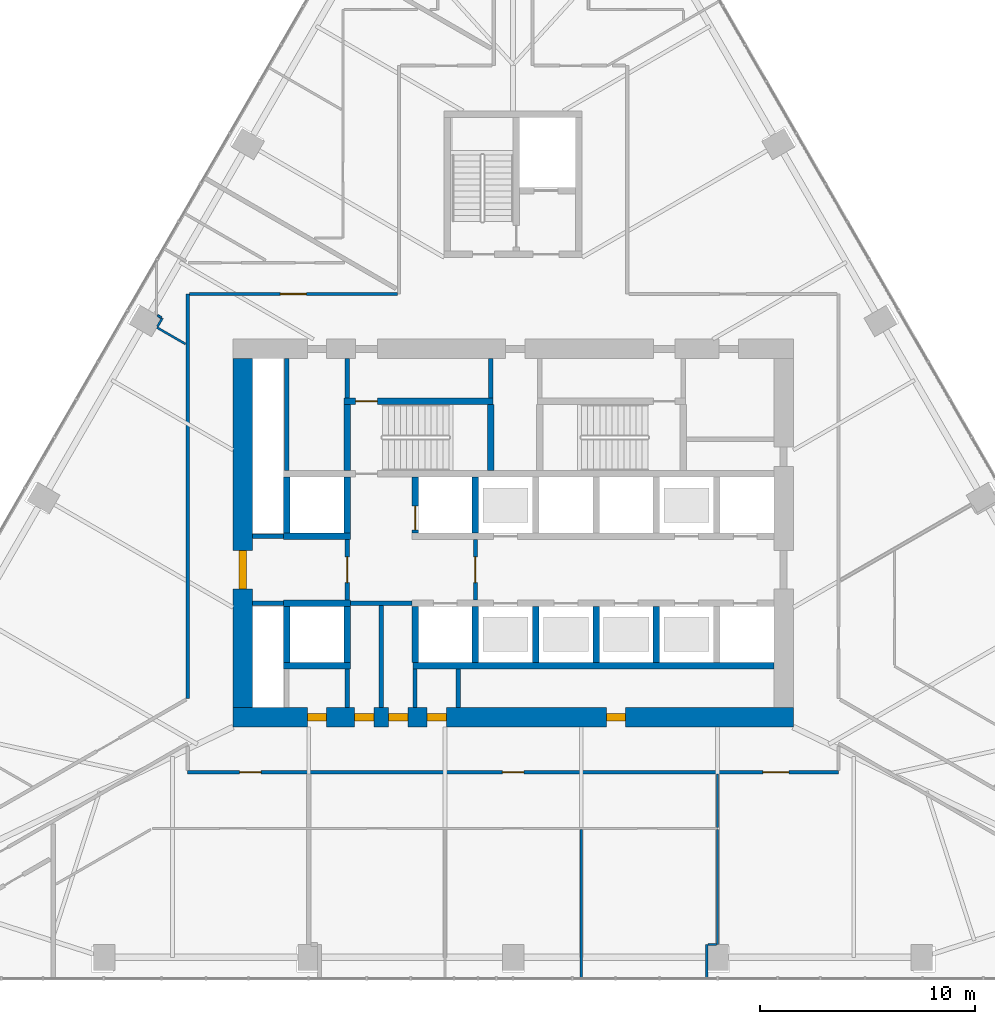
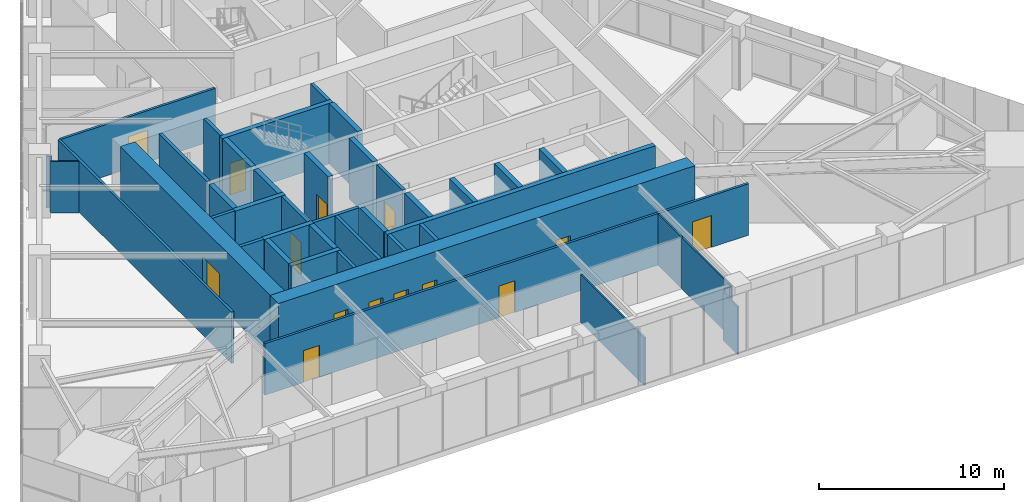
# One storey, part 16 of 21: 43 walls, 14 doors, 14 openings.
"""IFC4 building model written with IfcOpenShell, lengths in metres."""

from ifc_helpers import new_model, si_unit, direction, frame, frame_2d, origin, place, context, subcontext, project, spatial, rectangle, extrude, material, layer, layer_set, type_object, element, fill, save


model = new_model("IFC4")

# Units and contexts
model_context = context("Model", 3, precision=1e-05, world=origin(), true_north=direction((0.0, 1.0)))
body_context = subcontext(model_context, "Body", "Model", "MODEL_VIEW")
ifc_project = project(units=[si_unit("LENGTHUNIT", "METRE"), si_unit("AREAUNIT", "SQUARE_METRE"), si_unit("VOLUMEUNIT", "CUBIC_METRE"), si_unit("PLANEANGLEUNIT", "RADIAN"), si_unit("MASSUNIT", "GRAM", prefix="KILO")], contexts=[model_context])

# Site, building, storey
site_placement = place(None, origin())
site = spatial("IfcSite", under=ifc_project, at=site_placement, CompositionType="ELEMENT")
building_placement = place(site_placement, origin())
building = spatial("IfcBuilding", under=site, at=building_placement, Name="Firuza Gate Tower and Library", CompositionType="ELEMENT")
storey_placement = place(building_placement, frame((0.0, 0.0, 69.39990234375)))
storey = spatial("IfcBuildingStorey", under=building, at=storey_placement, Name="L15", CompositionType="ELEMENT", Elevation=69.39990234375)

# Walls
ifc_material_1 = material(Name="Plasterboard on steel studs", Category="steel")
ifc_layer_1 = layer(ifc_material_1, 0.199951171875)
ifc_layer_set_1 = layer_set([ifc_layer_1], Name="Core partition 200 EI 120")
wall_type_1 = type_object("IfcWallType", Name="Core partition 200 EI 120", PredefinedType="PARTITIONING", material=ifc_layer_set_1)
wall_1_placement = place(storey_placement, frame((62.89990234375, 71.75, 0.0), z_axis=(0.0, 0.0, 1.0), x_axis=(1.0, 0.0, 0.0)))
element("IfcWall", 1, at=wall_1_placement, inside=storey, type_object=wall_type_1, Name="Core partition L15 1", PredefinedType="PARTITIONING", context=body_context, shape_type="SweptSolid", body=[
    extrude(rectangle(XDim=1.4501953125, YDim=0.199951171875, at=frame_2d((0.72509765625, 0.0))), origin(), (0.0, 0.0, 1.0), 4.0),
])
wall_2_placement = place(storey_placement, frame((67.449951171875, 71.75, 0.0), z_axis=(0.0, 0.0, 1.0), x_axis=(1.0, 0.0, 0.0)))
element("IfcWall", 2, at=wall_2_placement, inside=storey, type_object=wall_type_1, Name="Core partition L15 2", PredefinedType="PARTITIONING", context=body_context, shape_type="SweptSolid", body=[
    extrude(rectangle(XDim=2.85009765625, YDim=0.199951171875, at=frame_2d((1.425048828125, 0.0))), origin(), (0.0, 0.0, 1.0), 4.0),
])
wall_3_placement = place(storey_placement, frame((62.89990234375, 74.85009765625, 0.0), z_axis=(0.0, 0.0, 1.0), x_axis=(1.0, 0.0, 0.0)))
element("IfcWall", 3, at=wall_3_placement, inside=storey, type_object=wall_type_1, Name="Core partition L15 3", PredefinedType="PARTITIONING", context=body_context, shape_type="SweptSolid", body=[
    extrude(rectangle(XDim=1.4501953125, YDim=0.199951171875, at=frame_2d((0.72509765625, 0.0))), origin(), (0.0, 0.0, 1.0), 4.0),
])
wall_4_placement = place(storey_placement, frame((64.5, 77.89990234375, 0.0), z_axis=(0.0, 0.0, 1.0), x_axis=(0.0, 1.0, 0.0)))
element("IfcWall", 4, at=wall_4_placement, inside=storey, type_object=wall_type_1, Name="Core partition L15 6", PredefinedType="PARTITIONING", context=body_context, shape_type="SweptSolid", body=[
    extrude(rectangle(XDim=5.2001953125, YDim=0.199951171875, at=frame_2d((2.60009765625, 0.0))), origin(), (0.0, 0.0, 1.0), 4.0),
])
wall_5_placement = place(storey_placement, frame((67.300048828125, 66.89990234375, 0.0), z_axis=(0.0, 0.0, 1.0), x_axis=(0.0, 1.0, 0.0)))
element("IfcWall", 5, at=wall_5_placement, inside=storey, type_object=wall_type_1, Name="Core partition L15 7", PredefinedType="PARTITIONING", context=body_context, shape_type="SweptSolid", body=[
    extrude(rectangle(XDim=1.800048828125, YDim=0.199951171875, at=frame_2d((0.89990234375, 0.0))), origin(), (0.0, 0.0, 1.0), 4.0),
])
wall_6_placement = place(storey_placement, frame((68.875, 66.89990234375, 0.0), z_axis=(0.0, 0.0, 1.0), x_axis=(0.0, 1.0, 0.0)))
element("IfcWall", 6, at=wall_6_placement, inside=storey, type_object=wall_type_1, Name="Core partition L15 10", PredefinedType="PARTITIONING", context=body_context, shape_type="SweptSolid", body=[
    extrude(rectangle(XDim=4.75, YDim=0.199951171875, at=frame_2d((2.375, 0.0))), origin(), (0.0, 0.0, 1.0), 4.0),
])
for number, where, z_axis, x_axis, name in (
    (7, (70.449951171875, 66.89990234375, 0.0), (0.0, 0.0, 1.0), (0.0, 1.0, 0.0), "Core partition L15 11"),
    (8, (72.447998046875, 66.89990234375, 0.0), (0.0, 0.0, 1.0), (0.0, 1.0, 0.0), "Core partition L15 12"),
):
    element("IfcWall", number, at=place(storey_placement, frame(where, z_axis=z_axis, x_axis=x_axis)), inside=storey, type_object=wall_type_1, Name=name, PredefinedType="PARTITIONING", context=body_context, shape_type="SweptSolid", body=[
        extrude(rectangle(XDim=1.800048828125, YDim=0.199951171875, at=frame_2d((0.89990234375, 0.0))), origin(), (0.0, 0.0, 1.0), 4.0),
    ])

# Wall, opening, door
ifc_material_2 = material(Name="Plasterboard on steel studs", Category="steel")
ifc_layer_2 = layer(ifc_material_2, 0.199951171875)
ifc_layer_set_2 = layer_set([ifc_layer_2], Name="Core partition 200 EI 60")
wall_type_2 = type_object("IfcWallType", Name="Core partition 200 EI 60", PredefinedType="PARTITIONING", material=ifc_layer_set_2)
wall_7_placement = place(storey_placement, frame((67.300048828125, 71.89990234375, 0.0), z_axis=(0.0, 0.0, 1.0), x_axis=(0.0, 1.0, 0.0)))
wall_7 = element("IfcWall", 9, at=wall_7_placement, inside=storey, type_object=wall_type_2, Name="Core partition L15 8", PredefinedType="PARTITIONING", context=body_context, shape_type="SweptSolid", body=[
    extrude(rectangle(XDim=2.800048828125, YDim=0.199951171875, at=frame_2d((1.39990234375, 0.0))), origin(), (0.0, 0.0, 1.0), 4.0),
])
opening_1_placement = place(wall_7_placement, frame((0.800048828125, 0.0, 0.0)))
opening_1 = element("IfcOpeningElement", 10, at=opening_1_placement, cuts=wall_7, Name="Opening L15-K21", PredefinedType="OPENING", context=body_context, shape_type="SweptSolid", body=[
    extrude(rectangle(XDim=1.199951171875, YDim=2.10009765625, at=frame_2d((0.60009765625, 1.050048828125))), frame((0.0, 0.10986328125, 0.0), z_axis=(0.0, -1.0, 0.0), x_axis=(1.0, 0.0, 0.0)), (0.0, 0.0, 1.0), 0.219970703125),
])
ifc_material_3 = material(Name="Steel", Category="steel")
door_type_1 = type_object("IfcDoorType", Name="Fire door 1200x2100 FD90S", OperationType="NOTDEFINED", PredefinedType="DOOR", material=ifc_material_3)
door_1_placement = place(opening_1_placement, origin())
door_1 = element("IfcDoor", 11, at=door_1_placement, inside=storey, type_object=door_type_1, Name="Door L15-K21", OperationType="SINGLE_SWING_RIGHT", OverallHeight=2.10009765625, OverallWidth=1.199951171875, PredefinedType="DOOR", context=body_context, shape_type="SweptSolid", body=[
    extrude(rectangle(XDim=1.199951171875, YDim=2.10009765625, at=frame_2d((0.60009765625, 1.050048828125))), frame((0.0, 0.02490234375, 0.0), z_axis=(0.0, -1.0, 0.0), x_axis=(1.0, 0.0, 0.0)), (0.0, 0.0, 1.0), 0.050048828125),
])
fill(opening_1, door_1)

# Wall
wall_8_placement = place(storey_placement, frame((67.300048828125, 81.280029296875, 0.0), z_axis=(0.0, 0.0, 1.0), x_axis=(0.0, 1.0, 0.0)))
element("IfcWall", 12, at=wall_8_placement, inside=storey, type_object=wall_type_2, Name="Core partition L15 9", PredefinedType="PARTITIONING", context=body_context, shape_type="SweptSolid", body=[
    extrude(rectangle(XDim=1.820068359375, YDim=0.199951171875, at=frame_2d((0.91015625, 0.0))), origin(), (0.0, 0.0, 1.0), 4.0),
])

# Wall, opening, door
wall_9_placement = place(storey_placement, frame((73.25, 71.89990234375, 0.0), z_axis=(0.0, 0.0, 1.0), x_axis=(0.0, 1.0, 0.0)))
wall_9 = element("IfcWall", 13, at=wall_9_placement, inside=storey, type_object=wall_type_2, Name="Core partition L15 13", PredefinedType="PARTITIONING", context=body_context, shape_type="SweptSolid", body=[
    extrude(rectangle(XDim=2.800048828125, YDim=0.199951171875, at=frame_2d((1.39990234375, 0.0))), origin(), (0.0, 0.0, 1.0), 4.0),
])
opening_2_placement = place(wall_9_placement, frame((0.800048828125, 0.0, 0.0)))
opening_2 = element("IfcOpeningElement", 14, at=opening_2_placement, cuts=wall_9, Name="Opening L15-K20", PredefinedType="OPENING", context=body_context, shape_type="SweptSolid", body=[
    extrude(rectangle(XDim=1.199951171875, YDim=2.10009765625, at=frame_2d((0.60009765625, 1.050048828125))), frame((0.0, 0.10986328125, 0.0), z_axis=(0.0, -1.0, 0.0), x_axis=(1.0, 0.0, 0.0)), (0.0, 0.0, 1.0), 0.219970703125),
])
door_2_placement = place(opening_2_placement, origin())
door_2 = element("IfcDoor", 15, at=door_2_placement, inside=storey, type_object=door_type_1, Name="Door L15-K20", OperationType="SINGLE_SWING_LEFT", OverallHeight=2.10009765625, OverallWidth=1.199951171875, PredefinedType="DOOR", context=body_context, shape_type="SweptSolid", body=[
    extrude(rectangle(XDim=1.199951171875, YDim=2.10009765625, at=frame_2d((0.60009765625, 1.050048828125))), frame((0.0, 0.02490234375, 0.0), z_axis=(0.0, -1.0, 0.0), x_axis=(1.0, 0.0, 0.0)), (0.0, 0.0, 1.0), 0.050048828125),
])
fill(opening_2, door_2)

# Walls
wall_10_placement = place(storey_placement, frame((73.9599609375, 81.280029296875, 0.0), z_axis=(0.0, 0.0, 1.0), x_axis=(0.0, 1.0, 0.0)))
element("IfcWall", 16, at=wall_10_placement, inside=storey, type_object=wall_type_2, Name="Core partition L15 14", PredefinedType="PARTITIONING", context=body_context, shape_type="SweptSolid", body=[
    extrude(rectangle(XDim=1.820068359375, YDim=0.199951171875, at=frame_2d((0.91015625, 0.0))), origin(), (0.0, 0.0, 1.0), 4.0),
])
ifc_material_4 = material(Name="Concrete C80/95", Category="concrete")
ifc_layer_3 = layer(ifc_material_4, 0.300048828125)
ifc_layer_set_3 = layer_set([ifc_layer_3], Name="Core wall 300 C80/95")
wall_type_3 = type_object("IfcWallType", Name="Core wall 300 C80/95", PredefinedType="SHEAR", material=ifc_layer_set_3)
wall_11_placement = place(storey_placement, frame((64.35009765625, 68.85009765625, 0.0), z_axis=(0.0, 0.0, 1.0), x_axis=(1.0, 0.0, 0.0)))
element("IfcWall", 17, at=wall_11_placement, inside=storey, type_object=wall_type_3, Name="Core wall L15 5", PredefinedType="SHEAR", context=body_context, shape_type="SweptSolid", body=[
    extrude(rectangle(XDim=3.099853515625, YDim=0.300048828125, at=frame_2d((1.5498046875, 0.0))), origin(), (0.0, 0.0, 1.0), 4.0),
])
wall_12_placement = place(storey_placement, frame((70.35009765625, 68.85009765625, 0.0), z_axis=(0.0, 0.0, 1.0), x_axis=(1.0, 0.0, 0.0)))
element("IfcWall", 18, at=wall_12_placement, inside=storey, type_object=wall_type_3, Name="Core wall L15 6", PredefinedType="SHEAR", context=body_context, shape_type="SweptSolid", body=[
    extrude(rectangle(XDim=16.75, YDim=0.300048828125, at=frame_2d((8.375, 0.0))), origin(), (0.0, 0.0, 1.0), 4.0),
])
for number, where, z_axis, x_axis, name in (
    (19, (64.35009765625, 71.75, 0.0), (0.0, 0.0, 1.0), (1.0, 0.0, 0.0), "Core wall L15 7"),
    (20, (64.35009765625, 74.85009765625, 0.0), (0.0, 0.0, 1.0), (1.0, 0.0, 0.0), "Core wall L15 9"),
):
    element("IfcWall", number, at=place(storey_placement, frame(where, z_axis=z_axis, x_axis=x_axis)), inside=storey, type_object=wall_type_3, Name=name, PredefinedType="SHEAR", context=body_context, shape_type="SweptSolid", body=[
        extrude(rectangle(XDim=3.099853515625, YDim=0.300048828125, at=frame_2d((1.5498046875, 0.0))), origin(), (0.0, 0.0, 1.0), 4.0),
    ])
for number, where, z_axis, x_axis, name in (
    (21, (64.5, 69.0, 0.0), (0.0, 0.0, 1.0), (0.0, 1.0, 0.0), "Core wall L15 11"),
    (22, (64.5, 75.0, 0.0), (0.0, 0.0, 1.0), (0.0, 1.0, 0.0), "Core wall L15 12"),
    (23, (67.300048828125, 69.0, 0.0), (0.0, 0.0, 1.0), (0.0, 1.0, 0.0), "Core wall L15 13"),
    (24, (67.300048828125, 75.0, 0.0), (0.0, 0.0, 1.0), (0.0, 1.0, 0.0), "Core wall L15 14"),
    (25, (70.449951171875, 69.0, 0.0), (0.0, 0.0, 1.0), (0.0, 1.0, 0.0), "Core wall L15 15"),
):
    element("IfcWall", number, at=place(storey_placement, frame(where, z_axis=z_axis, x_axis=x_axis)), inside=storey, type_object=wall_type_3, Name=name, PredefinedType="SHEAR", context=body_context, shape_type="SweptSolid", body=[
        extrude(rectangle(XDim=2.60009765625, YDim=0.300048828125, at=frame_2d((1.300048828125, 0.0))), origin(), (0.0, 0.0, 1.0), 4.0),
    ])

# Wall, opening, door
wall_13_placement = place(storey_placement, frame((70.449951171875, 75.0, 0.0), z_axis=(0.0, 0.0, 1.0), x_axis=(0.0, 1.0, 0.0)))
wall_13 = element("IfcWall", 26, at=wall_13_placement, inside=storey, type_object=wall_type_3, Name="Core wall L15 16", PredefinedType="SHEAR", context=body_context, shape_type="SweptSolid", body=[
    extrude(rectangle(XDim=2.60009765625, YDim=0.300048828125, at=frame_2d((1.300048828125, 0.0))), origin(), (0.0, 0.0, 1.0), 4.0),
])
opening_3_placement = place(wall_13_placement, frame((0.14990234375, 0.0, 0.0)))
opening_3 = element("IfcOpeningElement", 27, at=opening_3_placement, cuts=wall_13, Name="Opening LD-FF2-L15", PredefinedType="OPENING", context=body_context, shape_type="SweptSolid", body=[
    extrude(rectangle(XDim=1.10009765625, YDim=2.10009765625, at=frame_2d((0.550048828125, 1.050048828125))), frame((0.0, 0.16015625, 0.0), z_axis=(0.0, -1.0, 0.0), x_axis=(1.0, 0.0, 0.0)), (0.0, 0.0, 1.0), 0.320068359375),
])
ifc_material_5 = material(Name="Stainless steel", Category="steel")
door_type_2 = type_object("IfcDoorType", Name="Lift landing door 1100x2100", OperationType="DOUBLE_DOOR_SLIDING", PredefinedType="DOOR", material=ifc_material_5)
door_3_placement = place(opening_3_placement, origin())
door_3 = element("IfcDoor", 28, at=door_3_placement, inside=storey, type_object=door_type_2, Name="Landing door FF2 L15", OperationType="DOUBLE_DOOR_SLIDING", OverallHeight=2.10009765625, OverallWidth=1.10009765625, PredefinedType="DOOR", context=body_context, shape_type="SweptSolid", body=[
    extrude(rectangle(XDim=1.10009765625, YDim=2.10009765625, at=frame_2d((0.550048828125, 1.050048828125))), frame((0.0, 0.02490234375, 0.0), z_axis=(0.0, -1.0, 0.0), x_axis=(1.0, 0.0, 0.0)), (0.0, 0.0, 1.0), 0.050048828125),
])
fill(opening_3, door_3)

# Walls
for number, where, z_axis, x_axis, name in (
    (29, (73.25, 69.0, 0.0), (0.0, 0.0, 1.0), (0.0, 1.0, 0.0), "Core wall L15 17"),
    (30, (73.25, 75.0, 0.0), (0.0, 0.0, 1.0), (0.0, 1.0, 0.0), "Core wall L15 18"),
    (31, (76.050048828125, 69.0, 0.0), (0.0, 0.0, 1.0), (0.0, 1.0, 0.0), "Core wall L15 19"),
    (32, (78.85009765625, 69.0, 0.0), (0.0, 0.0, 1.0), (0.0, 1.0, 0.0), "Core wall L15 21"),
    (33, (81.64990234375, 69.0, 0.0), (0.0, 0.0, 1.0), (0.0, 1.0, 0.0), "Core wall L15 23"),
):
    element("IfcWall", number, at=place(storey_placement, frame(where, z_axis=z_axis, x_axis=x_axis)), inside=storey, type_object=wall_type_3, Name=name, PredefinedType="SHEAR", context=body_context, shape_type="SweptSolid", body=[
        extrude(rectangle(XDim=2.60009765625, YDim=0.300048828125, at=frame_2d((1.300048828125, 0.0))), origin(), (0.0, 0.0, 1.0), 4.0),
    ])

# Wall, opening, door
wall_14_placement = place(storey_placement, frame((67.14990234375, 81.1298828125, 0.0), z_axis=(0.0, 0.0, 1.0), x_axis=(1.0, 0.0, 0.0)))
wall_14 = element("IfcWall", 34, at=wall_14_placement, inside=storey, type_object=wall_type_3, Name="Core wall L15 28", PredefinedType="SHEAR", context=body_context, shape_type="SweptSolid", body=[
    extrude(rectangle(XDim=6.91015625, YDim=0.300048828125, at=frame_2d((3.455078125, 0.0))), origin(), (0.0, 0.0, 1.0), 4.0),
])
opening_4_placement = place(wall_14_placement, frame((0.544921875, 0.0, 0.0)))
opening_4 = element("IfcOpeningElement", 35, at=opening_4_placement, cuts=wall_14, Name="Opening L15-K13", PredefinedType="OPENING", context=body_context, shape_type="SweptSolid", body=[
    extrude(rectangle(XDim=1.0, YDim=2.10009765625, at=frame_2d((0.5, 1.050048828125))), frame((0.0, 0.16015625, 0.0), z_axis=(0.0, -1.0, 0.0), x_axis=(1.0, 0.0, 0.0)), (0.0, 0.0, 1.0), 0.320068359375),
])
ifc_material_6 = material(Name="Steel", Category="steel")
door_type_3 = type_object("IfcDoorType", Name="Fire door 1000x2100 FD90", OperationType="NOTDEFINED", PredefinedType="DOOR", material=ifc_material_6)
door_4_placement = place(opening_4_placement, origin())
door_4 = element("IfcDoor", 36, at=door_4_placement, inside=storey, type_object=door_type_3, Name="Door L15-K13", OperationType="SINGLE_SWING_RIGHT", OverallHeight=2.10009765625, OverallWidth=1.0, PredefinedType="DOOR", context=body_context, shape_type="SweptSolid", body=[
    extrude(rectangle(XDim=1.0, YDim=2.10009765625, at=frame_2d((0.5, 1.050048828125))), frame((0.0, 0.02490234375, 0.0), z_axis=(0.0, -1.0, 0.0), x_axis=(1.0, 0.0, 0.0)), (0.0, 0.0, 1.0), 0.050048828125),
])
fill(opening_4, door_4)

# Walls
for number, where, z_axis, x_axis, name in (
    (37, (67.300048828125, 77.89990234375, 0.0), (0.0, 0.0, 1.0), (0.0, 1.0, 0.0), "Core wall L15 30"),
    (38, (73.9599609375, 77.89990234375, 0.0), (0.0, 0.0, 1.0), (0.0, 1.0, 0.0), "Core wall L15 31"),
):
    element("IfcWall", number, at=place(storey_placement, frame(where, z_axis=z_axis, x_axis=x_axis)), inside=storey, type_object=wall_type_3, Name=name, PredefinedType="SHEAR", context=body_context, shape_type="SweptSolid", body=[
        extrude(rectangle(XDim=3.080078125, YDim=0.300048828125, at=frame_2d((1.5400390625, 0.0))), origin(), (0.0, 0.0, 1.0), 4.0),
    ])

# Wall, openings, doors
ifc_material_7 = material(Name="Concrete C80/95", Category="concrete")
ifc_layer_4 = layer(ifc_material_7, 0.89990234375)
ifc_layer_set_4 = layer_set([ifc_layer_4], Name="Core wall 900 C80/95")
wall_type_4 = type_object("IfcWallType", Name="Core wall 900 C80/95", PredefinedType="SHEAR", material=ifc_layer_set_4)
wall_15_placement = place(storey_placement, frame((62.0, 66.449951171875, 0.0), z_axis=(0.0, 0.0, 1.0), x_axis=(1.0, 0.0, 0.0)))
wall_15 = element("IfcWall", 39, at=wall_15_placement, inside=storey, type_object=wall_type_4, Name="Core wall L15 1", PredefinedType="SHEAR", context=body_context, shape_type="SweptSolid", body=[
    extrude(rectangle(XDim=26.0, YDim=0.89990234375, at=frame_2d((13.0, 0.0))), origin(), (0.0, 0.0, 1.0), 4.0),
])
opening_5_placement = place(wall_15_placement, frame((3.449951171875, 0.0, 0.0)))
opening_5 = element("IfcOpeningElement", 40, at=opening_5_placement, cuts=wall_15, Name="Opening L15-K24", PredefinedType="OPENING", context=body_context, shape_type="SweptSolid", body=[
    extrude(rectangle(XDim=0.89990234375, YDim=2.10009765625, at=frame_2d((0.449951171875, 1.050048828125))), frame((0.0, 0.4599609375, 0.0), z_axis=(0.0, -1.0, 0.0), x_axis=(1.0, 0.0, 0.0)), (0.0, 0.0, 1.0), 0.919921875),
])
opening_6_placement = place(wall_15_placement, frame((5.637451171875, 0.0, 0.0)))
opening_6 = element("IfcOpeningElement", 41, at=opening_6_placement, cuts=wall_15, Name="Opening L15-K25", PredefinedType="OPENING", context=body_context, shape_type="SweptSolid", body=[
    extrude(rectangle(XDim=0.89990234375, YDim=2.10009765625, at=frame_2d((0.449951171875, 1.050048828125))), frame((0.0, 0.4599609375, 0.0), z_axis=(0.0, -1.0, 0.0), x_axis=(1.0, 0.0, 0.0)), (0.0, 0.0, 1.0), 0.919921875),
])
opening_7_placement = place(wall_15_placement, frame((7.21240234375, 0.0, 0.0)))
opening_7 = element("IfcOpeningElement", 42, at=opening_7_placement, cuts=wall_15, Name="Opening L15-K26", PredefinedType="OPENING", context=body_context, shape_type="SweptSolid", body=[
    extrude(rectangle(XDim=0.89990234375, YDim=2.10009765625, at=frame_2d((0.449951171875, 1.050048828125))), frame((0.0, 0.4599609375, 0.0), z_axis=(0.0, -1.0, 0.0), x_axis=(1.0, 0.0, 0.0)), (0.0, 0.0, 1.0), 0.919921875),
])
opening_8_placement = place(wall_15_placement, frame((8.9990234375, 0.0, 0.0)))
opening_8 = element("IfcOpeningElement", 43, at=opening_8_placement, cuts=wall_15, Name="Opening L15-K27", PredefinedType="OPENING", context=body_context, shape_type="SweptSolid", body=[
    extrude(rectangle(XDim=0.89990234375, YDim=2.10009765625, at=frame_2d((0.449951171875, 1.050048828125))), frame((0.0, 0.4599609375, 0.0), z_axis=(0.0, -1.0, 0.0), x_axis=(1.0, 0.0, 0.0)), (0.0, 0.0, 1.0), 0.919921875),
])
opening_9_placement = place(wall_15_placement, frame((17.323974609375, 0.0, 0.0)))
opening_9 = element("IfcOpeningElement", 44, at=opening_9_placement, cuts=wall_15, Name="Opening L15-K28", PredefinedType="OPENING", context=body_context, shape_type="SweptSolid", body=[
    extrude(rectangle(XDim=0.89990234375, YDim=2.10009765625, at=frame_2d((0.449951171875, 1.050048828125))), frame((0.0, 0.4599609375, 0.0), z_axis=(0.0, -1.0, 0.0), x_axis=(1.0, 0.0, 0.0)), (0.0, 0.0, 1.0), 0.919921875),
])
ifc_material_8 = material(Name="Steel", Category="steel")
door_type_4 = type_object("IfcDoorType", Name="Fire door 900x2100 FD30S", OperationType="NOTDEFINED", PredefinedType="DOOR", material=ifc_material_8)
door_5_placement = place(opening_5_placement, origin())
door_5 = element("IfcDoor", 45, at=door_5_placement, inside=storey, type_object=door_type_4, Name="Door L15-K24", OperationType="SINGLE_SWING_LEFT", OverallHeight=2.10009765625, OverallWidth=0.89990234375, PredefinedType="DOOR", context=body_context, shape_type="SweptSolid", body=[
    extrude(rectangle(XDim=0.89990234375, YDim=2.10009765625, at=frame_2d((0.449951171875, 1.050048828125))), frame((0.0, 0.169921875, 0.0), z_axis=(0.0, -1.0, 0.0), x_axis=(1.0, 0.0, 0.0)), (0.0, 0.0, 1.0), 0.33984375),
])
fill(opening_5, door_5)
door_6_placement = place(opening_6_placement, origin())
door_6 = element("IfcDoor", 46, at=door_6_placement, inside=storey, type_object=door_type_4, Name="Door L15-K25", OperationType="SINGLE_SWING_RIGHT", OverallHeight=2.10009765625, OverallWidth=0.89990234375, PredefinedType="DOOR", context=body_context, shape_type="SweptSolid", body=[
    extrude(rectangle(XDim=0.89990234375, YDim=2.10009765625, at=frame_2d((0.449951171875, 1.050048828125))), frame((0.0, 0.169921875, 0.0), z_axis=(0.0, -1.0, 0.0), x_axis=(1.0, 0.0, 0.0)), (0.0, 0.0, 1.0), 0.33984375),
])
fill(opening_6, door_6)
door_7_placement = place(opening_7_placement, origin())
door_7 = element("IfcDoor", 47, at=door_7_placement, inside=storey, type_object=door_type_4, Name="Door L15-K26", OperationType="SINGLE_SWING_LEFT", OverallHeight=2.10009765625, OverallWidth=0.89990234375, PredefinedType="DOOR", context=body_context, shape_type="SweptSolid", body=[
    extrude(rectangle(XDim=0.89990234375, YDim=2.10009765625, at=frame_2d((0.449951171875, 1.050048828125))), frame((0.0, 0.169921875, 0.0), z_axis=(0.0, -1.0, 0.0), x_axis=(1.0, 0.0, 0.0)), (0.0, 0.0, 1.0), 0.33984375),
])
fill(opening_7, door_7)
door_8_placement = place(opening_8_placement, origin())
door_8 = element("IfcDoor", 48, at=door_8_placement, inside=storey, type_object=door_type_4, Name="Door L15-K27", OperationType="SINGLE_SWING_RIGHT", OverallHeight=2.10009765625, OverallWidth=0.89990234375, PredefinedType="DOOR", context=body_context, shape_type="SweptSolid", body=[
    extrude(rectangle(XDim=0.89990234375, YDim=2.10009765625, at=frame_2d((0.449951171875, 1.050048828125))), frame((0.0, 0.169921875, 0.0), z_axis=(0.0, -1.0, 0.0), x_axis=(1.0, 0.0, 0.0)), (0.0, 0.0, 1.0), 0.33984375),
])
fill(opening_8, door_8)
door_9_placement = place(opening_9_placement, origin())
door_9 = element("IfcDoor", 49, at=door_9_placement, inside=storey, type_object=door_type_4, Name="Door L15-K28", OperationType="SINGLE_SWING_LEFT", OverallHeight=2.10009765625, OverallWidth=0.89990234375, PredefinedType="DOOR", context=body_context, shape_type="SweptSolid", body=[
    extrude(rectangle(XDim=0.89990234375, YDim=2.10009765625, at=frame_2d((0.449951171875, 1.050048828125))), frame((0.0, 0.169921875, 0.0), z_axis=(0.0, -1.0, 0.0), x_axis=(1.0, 0.0, 0.0)), (0.0, 0.0, 1.0), 0.33984375),
])
fill(opening_9, door_9)

# Wall, opening, door
wall_16_placement = place(storey_placement, frame((62.449951171875, 66.89990234375, 0.0), z_axis=(0.0, 0.0, 1.0), x_axis=(0.0, 1.0, 0.0)))
wall_16 = element("IfcWall", 50, at=wall_16_placement, inside=storey, type_object=wall_type_4, Name="Core wall L15 3", PredefinedType="SHEAR", context=body_context, shape_type="SweptSolid", body=[
    extrude(rectangle(XDim=16.2001953125, YDim=0.89990234375, at=frame_2d((8.10009765625, 0.0))), origin(), (0.0, 0.0, 1.0), 4.0),
])
opening_10_placement = place(wall_16_placement, frame((5.5, 0.0, 0.0)))
opening_10 = element("IfcOpeningElement", 51, at=opening_10_placement, cuts=wall_16, Name="Opening L15-K22", PredefinedType="OPENING", context=body_context, shape_type="SweptSolid", body=[
    extrude(rectangle(XDim=1.800048828125, YDim=2.10009765625, at=frame_2d((0.89990234375, 1.050048828125))), frame((0.0, 0.4599609375, 0.0), z_axis=(0.0, -1.0, 0.0), x_axis=(1.0, 0.0, 0.0)), (0.0, 0.0, 1.0), 0.919921875),
])
ifc_material_9 = material(Name="Steel", Category="steel")
door_type_5 = type_object("IfcDoorType", Name="Fire door 1800x2100 FD30S", OperationType="NOTDEFINED", PredefinedType="DOOR", material=ifc_material_9)
door_10_placement = place(opening_10_placement, origin())
door_10 = element("IfcDoor", 52, at=door_10_placement, inside=storey, type_object=door_type_5, Name="Door L15-K22", OperationType="SINGLE_SWING_LEFT", OverallHeight=2.10009765625, OverallWidth=1.800048828125, PredefinedType="DOOR", context=body_context, shape_type="SweptSolid", body=[
    extrude(rectangle(XDim=1.800048828125, YDim=2.10009765625, at=frame_2d((0.89990234375, 1.050048828125))), frame((0.0, 0.169921875, 0.0), z_axis=(0.0, -1.0, 0.0), x_axis=(1.0, 0.0, 0.0)), (0.0, 0.0, 1.0), 0.33984375),
])
fill(opening_10, door_10)

# Wall, openings, doors
ifc_material_10 = material(Name="Gypsum board partition")
ifc_layer_5 = layer(ifc_material_10, 0.14990234375)
ifc_layer_set_5 = layer_set([ifc_layer_5], Name="Corridor wall 150 double board on steel studs")
wall_type_5 = type_object("IfcWallType", Name="Corridor wall 150 double board on steel studs", PredefinedType="PARTITIONING", material=ifc_layer_set_5)
wall_17_placement = place(storey_placement, frame((90.099365234375, 63.89990234375, 0.0), z_axis=(0.0, 0.0, 1.0), x_axis=(-1.0, 0.0, 0.0)))
wall_17 = element("IfcWall", 53, at=wall_17_placement, inside=storey, type_object=wall_type_5, Name="f:L15:w003", PredefinedType="PARTITIONING", context=body_context, shape_type="SweptSolid", body=[
    extrude(rectangle(XDim=30.199462890625, YDim=0.14990234375, at=frame_2d((15.099609375, 0.0))), origin(), (0.0, 0.0, 1.0), 3.400146484375),
])
opening_11_placement = place(wall_17_placement, frame((2.30859375, 0.0, 0.0)))
opening_11 = element("IfcOpeningElement", 54, at=opening_11_placement, cuts=wall_17, Name="Opening L15-05", PredefinedType="OPENING", context=body_context, shape_type="SweptSolid", body=[
    extrude(rectangle(XDim=1.199951171875, YDim=2.10009765625, at=frame_2d((0.60009765625, 1.050048828125))), frame((0.0, 0.0849609375, 0.0), z_axis=(0.0, -1.0, 0.0), x_axis=(1.0, 0.0, 0.0)), (0.0, 0.0, 1.0), 0.169921875),
])
opening_12_placement = place(wall_17_placement, frame((14.599365234375, 0.0, 0.0)))
opening_12 = element("IfcOpeningElement", 55, at=opening_12_placement, cuts=wall_17, Name="Opening L15-06", PredefinedType="OPENING", context=body_context, shape_type="SweptSolid", body=[
    extrude(rectangle(XDim=1.0, YDim=2.10009765625, at=frame_2d((0.5, 1.050048828125))), frame((0.0, 0.0849609375, 0.0), z_axis=(0.0, -1.0, 0.0), x_axis=(1.0, 0.0, 0.0)), (0.0, 0.0, 1.0), 0.169921875),
])
opening_13_placement = place(wall_17_placement, frame((26.79052734375, 0.0, 0.0)))
opening_13 = element("IfcOpeningElement", 56, at=opening_13_placement, cuts=wall_17, Name="Opening L15-07", PredefinedType="OPENING", context=body_context, shape_type="SweptSolid", body=[
    extrude(rectangle(XDim=1.0, YDim=2.10009765625, at=frame_2d((0.5, 1.050048828125))), frame((0.0, 0.0849609375, 0.0), z_axis=(0.0, -1.0, 0.0), x_axis=(1.0, 0.0, 0.0)), (0.0, 0.0, 1.0), 0.169921875),
])
ifc_material_11 = material(Name="Steel door and timber leaf", Category="steel")
door_type_6 = type_object("IfcDoorType", Name="Fire door 1000 x 2100 steel frame, timber leaf", OperationType="NOTDEFINED", PredefinedType="DOOR", material=ifc_material_11)
door_11_placement = place(opening_12_placement, origin())
door_11 = element("IfcDoor", 57, at=door_11_placement, inside=storey, type_object=door_type_6, Name="f:L15:d006", OperationType="SINGLE_SWING_RIGHT", OverallHeight=2.10009765625, OverallWidth=1.0, PredefinedType="DOOR", context=body_context, shape_type="SweptSolid", body=[
    extrude(rectangle(XDim=1.0, YDim=2.10009765625, at=frame_2d((0.5, 1.050048828125))), frame((0.0, 0.02490234375, 0.0), z_axis=(0.0, -1.0, 0.0), x_axis=(1.0, 0.0, 0.0)), (0.0, 0.0, 1.0), 0.050048828125),
])
fill(opening_12, door_11)
door_12_placement = place(opening_13_placement, origin())
door_12 = element("IfcDoor", 58, at=door_12_placement, inside=storey, type_object=door_type_6, Name="f:L15:d007", OperationType="SINGLE_SWING_LEFT", OverallHeight=2.10009765625, OverallWidth=1.0, PredefinedType="DOOR", context=body_context, shape_type="SweptSolid", body=[
    extrude(rectangle(XDim=1.0, YDim=2.10009765625, at=frame_2d((0.5, 1.050048828125))), frame((0.0, 0.02490234375, 0.0), z_axis=(0.0, -1.0, 0.0), x_axis=(1.0, 0.0, 0.0)), (0.0, 0.0, 1.0), 0.050048828125),
])
fill(opening_13, door_12)
ifc_material_12 = material(Name="Steel door and timber leaf", Category="steel")
door_type_7 = type_object("IfcDoorType", Name="Fire door 1200 x 2100 steel frame, double leaf", OperationType="NOTDEFINED", PredefinedType="DOOR", material=ifc_material_12)
door_13_placement = place(opening_11_placement, origin())
door_13 = element("IfcDoor", 59, at=door_13_placement, inside=storey, type_object=door_type_7, Name="f:L15:d005", OperationType="DOUBLE_DOOR_SINGLE_SWING", OverallHeight=2.10009765625, OverallWidth=1.199951171875, PredefinedType="DOOR", context=body_context, shape_type="SweptSolid", body=[
    extrude(rectangle(XDim=1.199951171875, YDim=2.10009765625, at=frame_2d((0.60009765625, 1.050048828125))), frame((0.0, 0.02490234375, 0.0), z_axis=(0.0, -1.0, 0.0), x_axis=(1.0, 0.0, 0.0)), (0.0, 0.0, 1.0), 0.050048828125),
])
fill(opening_11, door_13)

# Wall, opening, door
wall_18_placement = place(storey_placement, frame((59.9755859375, 86.10009765625, 0.0), z_axis=(0.0, 0.0, 1.0), x_axis=(1.0, 0.0, 0.0)))
wall_18 = element("IfcWall", 60, at=wall_18_placement, inside=storey, type_object=wall_type_5, Name="f:L15:w004", PredefinedType="PARTITIONING", context=body_context, shape_type="SweptSolid", body=[
    extrude(rectangle(XDim=9.6494140625, YDim=0.14990234375, at=frame_2d((4.82470703125, 0.0))), origin(), (0.0, 0.0, 1.0), 3.400146484375),
])
opening_14_placement = place(wall_18_placement, frame((4.224853515625, 0.0, 0.0)))
opening_14 = element("IfcOpeningElement", 61, at=opening_14_placement, cuts=wall_18, Name="Opening L15-08", PredefinedType="OPENING", context=body_context, shape_type="SweptSolid", body=[
    extrude(rectangle(XDim=1.199951171875, YDim=2.10009765625, at=frame_2d((0.60009765625, 1.050048828125))), frame((0.0, 0.0849609375, 0.0), z_axis=(0.0, -1.0, 0.0), x_axis=(1.0, 0.0, 0.0)), (0.0, 0.0, 1.0), 0.169921875),
])
door_14_placement = place(opening_14_placement, origin())
door_14 = element("IfcDoor", 62, at=door_14_placement, inside=storey, type_object=door_type_7, Name="f:L15:d008", OperationType="DOUBLE_DOOR_SINGLE_SWING", OverallHeight=2.10009765625, OverallWidth=1.199951171875, PredefinedType="DOOR", context=body_context, shape_type="SweptSolid", body=[
    extrude(rectangle(XDim=1.199951171875, YDim=2.10009765625, at=frame_2d((0.60009765625, 1.050048828125))), frame((0.0, 0.02490234375, 0.0), z_axis=(0.0, -1.0, 0.0), x_axis=(1.0, 0.0, 0.0)), (0.0, 0.0, 1.0), 0.050048828125),
])
fill(opening_14, door_14)

# Walls
wall_19_placement = place(storey_placement, frame((59.89990234375, 67.3212890625, 0.0), z_axis=(0.0, 0.0, 1.0), x_axis=(0.0, 1.0, 0.0)))
element("IfcWall", 63, at=wall_19_placement, inside=storey, type_object=wall_type_5, Name="f:L15:w049", PredefinedType="PARTITIONING", context=body_context, shape_type="SweptSolid", body=[
    extrude(rectangle(XDim=18.7783203125, YDim=0.14990234375, at=frame_2d((9.38916015625, 0.0))), origin(), (0.0, 0.0, 1.0), 3.400146484375),
])
ifc_material_13 = material(Name="Gypsum board partition")
ifc_layer_6 = layer(ifc_material_13, 0.10009765625)
ifc_layer_set_6 = layer_set([ifc_layer_6], Name="Partition 100 gypsum board on steel studs")
wall_type_6 = type_object("IfcWallType", Name="Partition 100 gypsum board on steel studs", PredefinedType="PARTITIONING", material=ifc_layer_set_6)
wall_20_placement = place(storey_placement, frame((84.035888671875, 55.9140625, 0.0), z_axis=(0.0, 0.0, 1.0), x_axis=(1.0, 0.0, 0.0)))
element("IfcWall", 64, at=wall_20_placement, inside=storey, type_object=wall_type_6, Name="f:L15:w001", PredefinedType="PARTITIONING", context=body_context, shape_type="SweptSolid", body=[
    extrude(rectangle(XDim=0.39892578125, YDim=0.10009765625, at=frame_2d((0.199462890625, 0.0))), origin(), (0.0, 0.0, 1.0), 3.400146484375),
])
wall_21_placement = place(storey_placement, frame((58.496337890625, 84.586669921875, 0.0), z_axis=(0.0, 0.0, 1.0), x_axis=(0.500114568548, 0.865959247497, 0.0)))
element("IfcWall", 65, at=wall_21_placement, inside=storey, type_object=wall_type_6, Name="f:L15:w026", PredefinedType="PARTITIONING", context=body_context, shape_type="SweptSolid", body=[
    extrude(rectangle(XDim=0.44921875, YDim=0.10009765625, at=frame_2d((0.224609375, 0.0))), origin(), (0.0, 0.0, 1.0), 3.400146484375),
])
wall_22_placement = place(storey_placement, frame((84.485107421875, 55.91455078125, 0.0), z_axis=(0.0, 0.0, 1.0), x_axis=(0.0, 1.0, 0.0)))
element("IfcWall", 66, at=wall_22_placement, inside=storey, type_object=wall_type_6, Name="f:L15:w032", PredefinedType="PARTITIONING", context=body_context, shape_type="SweptSolid", body=[
    extrude(rectangle(XDim=5.33544921875, YDim=0.10009765625, at=frame_2d((2.667724609375, 0.0))), origin(), (0.0, 0.0, 1.0), 3.400146484375),
])
wall_23_placement = place(storey_placement, frame((83.985107421875, 54.35400390625, 0.0), z_axis=(0.0, 0.0, 1.0), x_axis=(0.0, 1.0, 0.0)))
element("IfcWall", 67, at=wall_23_placement, inside=storey, type_object=wall_type_6, Name="f:L15:w033", PredefinedType="PARTITIONING", context=body_context, shape_type="SweptSolid", body=[
    extrude(rectangle(XDim=1.5595703125, YDim=0.10009765625, at=frame_2d((0.77978515625, 0.0))), origin(), (0.0, 0.0, 1.0), 3.1650390625),
])
wall_24_placement = place(storey_placement, frame((78.162109375, 54.35400390625, 0.0), z_axis=(0.0, 0.0, 1.0), x_axis=(0.0, 1.0, 0.0)))
element("IfcWall", 68, at=wall_24_placement, inside=storey, type_object=wall_type_6, Name="f:L15:w038", PredefinedType="PARTITIONING", context=body_context, shape_type="SweptSolid", body=[
    extrude(rectangle(XDim=6.89599609375, YDim=0.10009765625, at=frame_2d((3.447998046875, 0.0))), origin(), (0.0, 0.0, 1.0), 3.1650390625),
])
wall_25_placement = place(storey_placement, frame((58.677490234375, 85.001220703125, 0.0), z_axis=(0.0, 0.0, 1.0), x_axis=(-0.86610613113, 0.49986015006, 0.0)))
element("IfcWall", 69, at=wall_25_placement, inside=storey, type_object=wall_type_6, Name="f:L15:w068", PredefinedType="PARTITIONING", context=body_context, shape_type="SweptSolid", body=[
    extrude(rectangle(XDim=0.20458984375, YDim=0.10009765625, at=frame_2d((0.102294921875, 0.0))), origin(), (0.0, 0.0, 1.0), 3.400146484375),
])
wall_26_placement = place(storey_placement, frame((59.799072265625, 83.7763671875, 0.0), z_axis=(0.0, 0.0, 1.0), x_axis=(-0.866029087811, 0.499993619025, 0.0)))
element("IfcWall", 70, at=wall_26_placement, inside=storey, type_object=wall_type_6, Name="f:L15:w069", PredefinedType="PARTITIONING", context=body_context, shape_type="SweptSolid", body=[
    extrude(rectangle(XDim=1.53271484375, YDim=0.10009765625, at=frame_2d((0.766357421875, 0.0))), origin(), (0.0, 0.0, 1.0), 3.400146484375),
])
wall_27_placement = place(storey_placement, frame((84.485107421875, 61.35009765625, 0.0), z_axis=(0.0, 0.0, 1.0), x_axis=(0.0, 1.0, 0.0)))
element("IfcWall", 71, at=wall_27_placement, inside=storey, type_object=wall_type_6, Name="f:L15:w073", PredefinedType="PARTITIONING", context=body_context, shape_type="SweptSolid", body=[
    extrude(rectangle(XDim=2.474853515625, YDim=0.10009765625, at=frame_2d((1.2373046875, 0.0))), origin(), (0.0, 0.0, 1.0), 3.400146484375),
])

save(model, "model.ifc")
